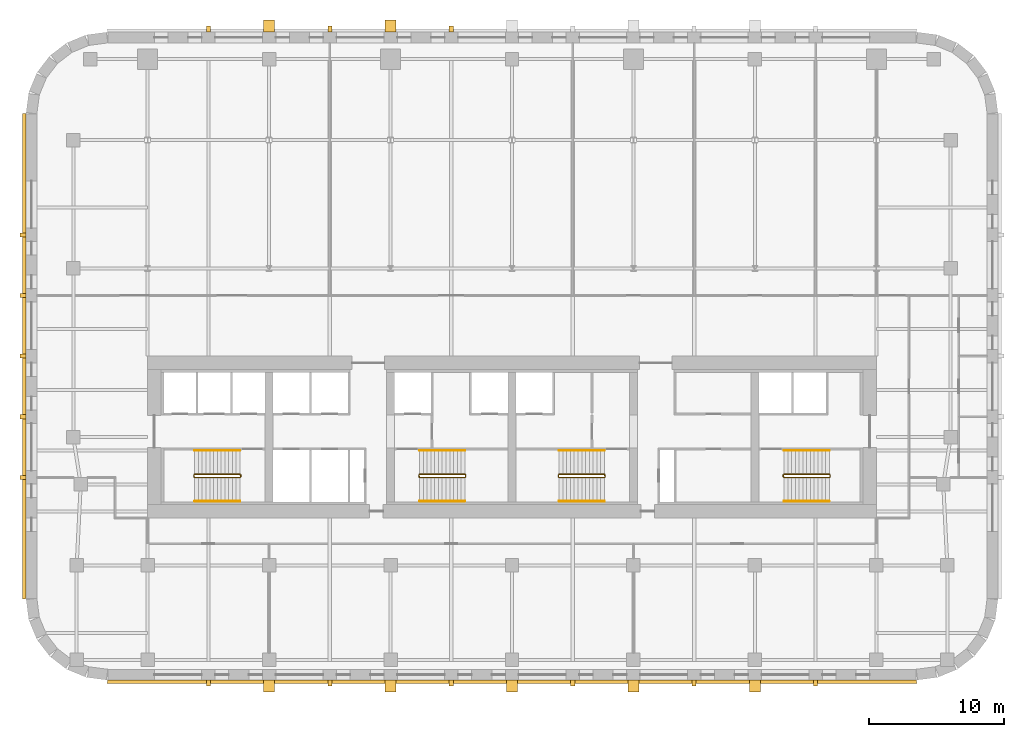
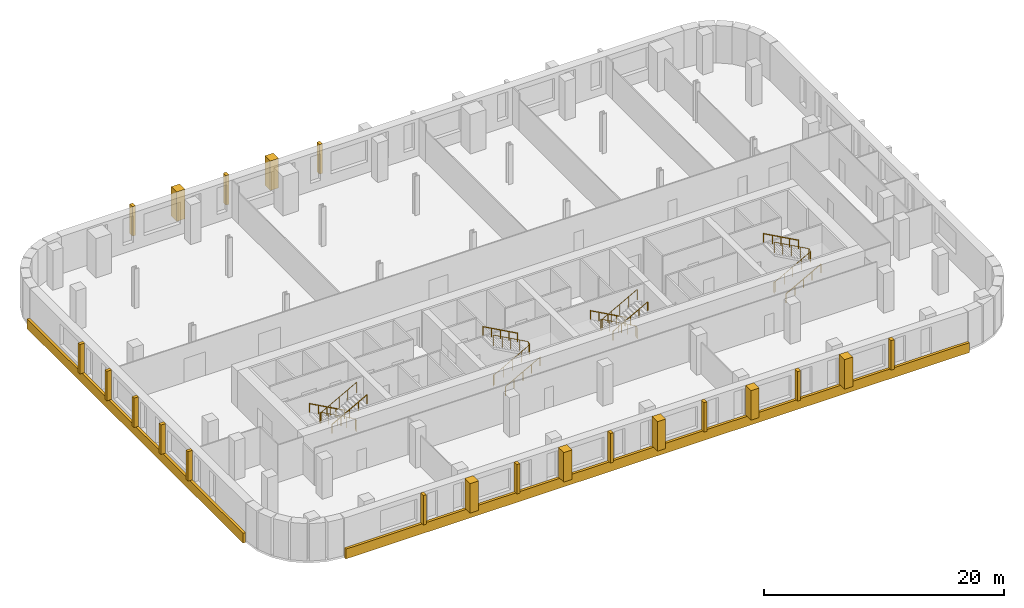
# One storey, part 8 of 9: 23 coverings, 12 railings.
"""IFC4 building model written with IfcOpenShell, lengths in metres."""

from ifc_helpers import new_model, si_unit, direction, frame, origin, origin_2d, place, context, subcontext, project, spatial, polyline, circle, outline, extrude, material, layer, layer_set, type_object, element, save


model = new_model("IFC4")

# Units and contexts
model_context = context("Model", 3, precision=1e-05, world=origin(), true_north=direction((0.0, 1.0)))
body_context = subcontext(model_context, "Body", "Model", "MODEL_VIEW")
ifc_project = project(units=[si_unit("LENGTHUNIT", "METRE"), si_unit("AREAUNIT", "SQUARE_METRE"), si_unit("VOLUMEUNIT", "CUBIC_METRE"), si_unit("PLANEANGLEUNIT", "RADIAN"), si_unit("MASSUNIT", "GRAM", prefix="KILO")], contexts=[model_context])

# Site, building, storey
site_placement = place(None, origin())
site = spatial("IfcSite", under=ifc_project, at=site_placement, CompositionType="ELEMENT")
building_placement = place(site_placement, origin())
building = spatial("IfcBuilding", under=site, at=building_placement, Name="Zellij Exchange Tower", CompositionType="ELEMENT")
storey_placement = place(building_placement, frame((0.0, 0.0, 148.5)))
storey = spatial("IfcBuildingStorey", under=building, at=storey_placement, Name="L33", CompositionType="ELEMENT", Elevation=148.5)

# Railings
ifc_material_1 = material(Name="Stainless steel", Category="steel")
railing_type_1 = type_object("IfcRailingType", Name="CORE-RG stair guard", PredefinedType="GUARDRAIL", material=ifc_material_1)
railing_1_placement = place(storey_placement, frame((-20.10009765625, -10.800048828125, 0.0)))
element("IfcRailing", 1, at=railing_1_placement, inside=storey, type_object=railing_type_1, Name="ST1 stair guard L33", PredefinedType="GUARDRAIL", context=body_context, shape_type="SweptSolid", body=[
    extrude(circle(Radius=0.02392578125, at=origin_2d()), frame((0.0, 0.0, 1.076171875), z_axis=(0.0, -1.0, 0.0), x_axis=(1.0, 0.0, 0.0)), (0.0, 0.0, 1.0), 0.14990234375),
    extrude(circle(Radius=0.02392578125, at=origin_2d()), frame((0.0, -0.14990234375, 1.076171875), z_axis=(-0.193691321961, 0.777613689637, 0.598164376644), x_axis=(-0.970351222016, -0.241699205484, 0.0)), (0.0, 0.0, 1.0), 0.257080078125),
    extrude(circle(Radius=0.02392578125, at=origin_2d()), frame((-0.0498046875, 0.050048828125, 1.22998046875), z_axis=(-0.876421534553, 0.0, 0.481544695509), x_axis=(0.0, -1.0, 0.0)), (0.0, 0.0, 1.0), 3.833984375),
    extrude(circle(Radius=0.02392578125, at=origin_2d()), frame((-3.409912109375, 0.050048828125, 3.076171875), z_axis=(-0.707106781187, -0.707106781187, 0.0), x_axis=(0.707106781187, -0.707106781187, 0.0)), (0.0, 0.0, 1.0), 0.07080078125),
    extrude(circle(Radius=0.02392578125, at=origin_2d()), frame((-3.4599609375, 0.0, 3.076171875), z_axis=(0.0, -1.0, 0.0), x_axis=(1.0, 0.0, 0.0)), (0.0, 0.0, 1.0), 0.14990234375),
    extrude(circle(Radius=0.02392578125, at=origin_2d()), frame((-3.4599609375, -0.14990234375, 3.076171875), z_axis=(0.295599637079, -0.295599637079, 0.908428152975), x_axis=(0.707106781187, 0.707106781187, 0.0)), (0.0, 0.0, 1.0), 0.16943359375),
    extrude(circle(Radius=0.02392578125, at=origin_2d()), frame((-3.409912109375, -0.199951171875, 3.22998046875), z_axis=(0.876421534553, 0.0, 0.481544695509), x_axis=(0.0, 1.0, 0.0)), (0.0, 0.0, 1.0), 3.833984375),
    extrude(circle(Radius=0.02099609375, at=origin_2d()), origin(), (0.0, 0.0, 1.0), 1.052001953125),
    extrude(circle(Radius=0.02099609375, at=origin_2d()), frame((0.0, -0.14990234375, 0.0)), (0.0, 0.0, 1.0), 1.052001953125),
    extrude(circle(Radius=0.02099609375, at=origin_2d()), frame((-0.0498046875, 0.050048828125, 0.15380859375)), (0.0, 0.0, 1.0), 1.052001953125),
    extrude(circle(Radius=0.02099609375, at=origin_2d()), frame((-0.889892578125, 0.050048828125, 0.615234375)), (0.0, 0.0, 1.0), 1.052001953125),
    extrude(circle(Radius=0.02099609375, at=origin_2d()), frame((-1.72998046875, 0.050048828125, 1.076904296875)), (0.0, 0.0, 1.0), 1.052001953125),
    extrude(circle(Radius=0.02099609375, at=origin_2d()), frame((-2.56982421875, 0.050048828125, 1.53857421875)), (0.0, 0.0, 1.0), 1.052001953125),
    extrude(circle(Radius=0.02099609375, at=origin_2d()), frame((-3.409912109375, 0.050048828125, 2.0)), (0.0, 0.0, 1.0), 1.052001953125),
    extrude(circle(Radius=0.02099609375, at=origin_2d()), frame((-3.4599609375, 0.0, 2.0)), (0.0, 0.0, 1.0), 1.052001953125),
    extrude(circle(Radius=0.02099609375, at=origin_2d()), frame((-3.4599609375, -0.14990234375, 2.0)), (0.0, 0.0, 1.0), 1.052001953125),
    extrude(circle(Radius=0.02099609375, at=origin_2d()), frame((-3.409912109375, -0.199951171875, 2.15380859375)), (0.0, 0.0, 1.0), 1.052001953125),
    extrude(circle(Radius=0.02099609375, at=origin_2d()), frame((-2.56982421875, -0.199951171875, 2.615234375)), (0.0, 0.0, 1.0), 1.052001953125),
    extrude(circle(Radius=0.02099609375, at=origin_2d()), frame((-1.72998046875, -0.199951171875, 3.076904296875)), (0.0, 0.0, 1.0), 1.052001953125),
    extrude(circle(Radius=0.02099609375, at=origin_2d()), frame((-0.889892578125, -0.199951171875, 3.53857421875)), (0.0, 0.0, 1.0), 1.052001953125),
    extrude(circle(Radius=0.02099609375, at=origin_2d()), frame((-0.0498046875, -0.199951171875, 4.0)), (0.0, 0.0, 1.0), 1.052001953125),
])
railing_2_placement = place(storey_placement, frame((-6.89990234375, -10.949951171875, 0.0)))
element("IfcRailing", 2, at=railing_2_placement, inside=storey, type_object=railing_type_1, Name="ST2 stair guard L33", PredefinedType="GUARDRAIL", context=body_context, shape_type="SweptSolid", body=[
    extrude(circle(Radius=0.02392578125, at=origin_2d()), frame((0.0, 0.0, 1.076171875), z_axis=(0.0, 1.0, 0.0), x_axis=(-1.0, 0.0, 0.0)), (0.0, 0.0, 1.0), 0.14990234375),
    extrude(circle(Radius=0.02392578125, at=origin_2d()), frame((0.0, 0.14990234375, 1.076171875), z_axis=(0.193691321961, -0.777613689637, 0.598164376644), x_axis=(0.970351222016, 0.241699205484, 0.0)), (0.0, 0.0, 1.0), 0.257080078125),
    extrude(circle(Radius=0.02392578125, at=origin_2d()), frame((0.0498046875, -0.050048828125, 1.22998046875), z_axis=(0.876421534553, 0.0, 0.481544695509), x_axis=(0.0, 1.0, 0.0)), (0.0, 0.0, 1.0), 3.833984375),
    extrude(circle(Radius=0.02392578125, at=origin_2d()), frame((3.409912109375, -0.050048828125, 3.076171875), z_axis=(0.707106781187, 0.707106781187, 0.0), x_axis=(-0.707106781187, 0.707106781187, 0.0)), (0.0, 0.0, 1.0), 0.07080078125),
    extrude(circle(Radius=0.02392578125, at=origin_2d()), frame((3.4599609375, 0.0, 3.076171875), z_axis=(0.0, 1.0, 0.0), x_axis=(-1.0, 0.0, 0.0)), (0.0, 0.0, 1.0), 0.14990234375),
    extrude(circle(Radius=0.02392578125, at=origin_2d()), frame((3.4599609375, 0.14990234375, 3.076171875), z_axis=(-0.295599637079, 0.295599637079, 0.908428152975), x_axis=(-0.707106781187, -0.707106781187, 0.0)), (0.0, 0.0, 1.0), 0.16943359375),
    extrude(circle(Radius=0.02392578125, at=origin_2d()), frame((3.409912109375, 0.199951171875, 3.22998046875), z_axis=(-0.876421534553, 0.0, 0.481544695509), x_axis=(0.0, -1.0, 0.0)), (0.0, 0.0, 1.0), 3.833984375),
    extrude(circle(Radius=0.02099609375, at=origin_2d()), origin(), (0.0, 0.0, 1.0), 1.052001953125),
    extrude(circle(Radius=0.02099609375, at=origin_2d()), frame((0.0, 0.14990234375, 0.0)), (0.0, 0.0, 1.0), 1.052001953125),
    extrude(circle(Radius=0.02099609375, at=origin_2d()), frame((0.0498046875, -0.050048828125, 0.15380859375)), (0.0, 0.0, 1.0), 1.052001953125),
    extrude(circle(Radius=0.02099609375, at=origin_2d()), frame((0.889892578125, -0.050048828125, 0.615234375)), (0.0, 0.0, 1.0), 1.052001953125),
    extrude(circle(Radius=0.02099609375, at=origin_2d()), frame((1.72998046875, -0.050048828125, 1.076904296875)), (0.0, 0.0, 1.0), 1.052001953125),
    extrude(circle(Radius=0.02099609375, at=origin_2d()), frame((2.56982421875, -0.050048828125, 1.53857421875)), (0.0, 0.0, 1.0), 1.052001953125),
    extrude(circle(Radius=0.02099609375, at=origin_2d()), frame((3.409912109375, -0.050048828125, 2.0)), (0.0, 0.0, 1.0), 1.052001953125),
    extrude(circle(Radius=0.02099609375, at=origin_2d()), frame((3.4599609375, 0.0, 2.0)), (0.0, 0.0, 1.0), 1.052001953125),
    extrude(circle(Radius=0.02099609375, at=origin_2d()), frame((3.4599609375, 0.14990234375, 2.0)), (0.0, 0.0, 1.0), 1.052001953125),
    extrude(circle(Radius=0.02099609375, at=origin_2d()), frame((3.409912109375, 0.199951171875, 2.15380859375)), (0.0, 0.0, 1.0), 1.052001953125),
    extrude(circle(Radius=0.02099609375, at=origin_2d()), frame((2.56982421875, 0.199951171875, 2.615234375)), (0.0, 0.0, 1.0), 1.052001953125),
    extrude(circle(Radius=0.02099609375, at=origin_2d()), frame((1.72998046875, 0.199951171875, 3.076904296875)), (0.0, 0.0, 1.0), 1.052001953125),
    extrude(circle(Radius=0.02099609375, at=origin_2d()), frame((0.889892578125, 0.199951171875, 3.53857421875)), (0.0, 0.0, 1.0), 1.052001953125),
    extrude(circle(Radius=0.02099609375, at=origin_2d()), frame((0.0498046875, 0.199951171875, 4.0)), (0.0, 0.0, 1.0), 1.052001953125),
])
railing_3_placement = place(storey_placement, frame((6.89990234375, -10.800048828125, 0.0)))
element("IfcRailing", 3, at=railing_3_placement, inside=storey, type_object=railing_type_1, Name="ST3 stair guard L33", PredefinedType="GUARDRAIL", context=body_context, shape_type="SweptSolid", body=[
    extrude(circle(Radius=0.02392578125, at=origin_2d()), frame((0.0, 0.0, 1.076171875), z_axis=(0.0, -1.0, 0.0), x_axis=(1.0, 0.0, 0.0)), (0.0, 0.0, 1.0), 0.14990234375),
    extrude(circle(Radius=0.02392578125, at=origin_2d()), frame((0.0, -0.14990234375, 1.076171875), z_axis=(-0.193691321961, 0.777613689637, 0.598164376644), x_axis=(-0.970351222016, -0.241699205484, 0.0)), (0.0, 0.0, 1.0), 0.257080078125),
    extrude(circle(Radius=0.02392578125, at=origin_2d()), frame((-0.0498046875, 0.050048828125, 1.22998046875), z_axis=(-0.876421534553, 0.0, 0.481544695509), x_axis=(0.0, -1.0, 0.0)), (0.0, 0.0, 1.0), 3.833984375),
    extrude(circle(Radius=0.02392578125, at=origin_2d()), frame((-3.409912109375, 0.050048828125, 3.076171875), z_axis=(-0.707106781187, -0.707106781187, 0.0), x_axis=(0.707106781187, -0.707106781187, 0.0)), (0.0, 0.0, 1.0), 0.07080078125),
    extrude(circle(Radius=0.02392578125, at=origin_2d()), frame((-3.4599609375, 0.0, 3.076171875), z_axis=(0.0, -1.0, 0.0), x_axis=(1.0, 0.0, 0.0)), (0.0, 0.0, 1.0), 0.14990234375),
    extrude(circle(Radius=0.02392578125, at=origin_2d()), frame((-3.4599609375, -0.14990234375, 3.076171875), z_axis=(0.295599637079, -0.295599637079, 0.908428152975), x_axis=(0.707106781187, 0.707106781187, 0.0)), (0.0, 0.0, 1.0), 0.16943359375),
    extrude(circle(Radius=0.02392578125, at=origin_2d()), frame((-3.409912109375, -0.199951171875, 3.22998046875), z_axis=(0.876421534553, 0.0, 0.481544695509), x_axis=(0.0, 1.0, 0.0)), (0.0, 0.0, 1.0), 3.833984375),
    extrude(circle(Radius=0.02099609375, at=origin_2d()), origin(), (0.0, 0.0, 1.0), 1.052001953125),
    extrude(circle(Radius=0.02099609375, at=origin_2d()), frame((0.0, -0.14990234375, 0.0)), (0.0, 0.0, 1.0), 1.052001953125),
    extrude(circle(Radius=0.02099609375, at=origin_2d()), frame((-0.0498046875, 0.050048828125, 0.15380859375)), (0.0, 0.0, 1.0), 1.052001953125),
    extrude(circle(Radius=0.02099609375, at=origin_2d()), frame((-0.889892578125, 0.050048828125, 0.615234375)), (0.0, 0.0, 1.0), 1.052001953125),
    extrude(circle(Radius=0.02099609375, at=origin_2d()), frame((-1.72998046875, 0.050048828125, 1.076904296875)), (0.0, 0.0, 1.0), 1.052001953125),
    extrude(circle(Radius=0.02099609375, at=origin_2d()), frame((-2.56982421875, 0.050048828125, 1.53857421875)), (0.0, 0.0, 1.0), 1.052001953125),
    extrude(circle(Radius=0.02099609375, at=origin_2d()), frame((-3.409912109375, 0.050048828125, 2.0)), (0.0, 0.0, 1.0), 1.052001953125),
    extrude(circle(Radius=0.02099609375, at=origin_2d()), frame((-3.4599609375, 0.0, 2.0)), (0.0, 0.0, 1.0), 1.052001953125),
    extrude(circle(Radius=0.02099609375, at=origin_2d()), frame((-3.4599609375, -0.14990234375, 2.0)), (0.0, 0.0, 1.0), 1.052001953125),
    extrude(circle(Radius=0.02099609375, at=origin_2d()), frame((-3.409912109375, -0.199951171875, 2.15380859375)), (0.0, 0.0, 1.0), 1.052001953125),
    extrude(circle(Radius=0.02099609375, at=origin_2d()), frame((-2.56982421875, -0.199951171875, 2.615234375)), (0.0, 0.0, 1.0), 1.052001953125),
    extrude(circle(Radius=0.02099609375, at=origin_2d()), frame((-1.72998046875, -0.199951171875, 3.076904296875)), (0.0, 0.0, 1.0), 1.052001953125),
    extrude(circle(Radius=0.02099609375, at=origin_2d()), frame((-0.889892578125, -0.199951171875, 3.53857421875)), (0.0, 0.0, 1.0), 1.052001953125),
    extrude(circle(Radius=0.02099609375, at=origin_2d()), frame((-0.0498046875, -0.199951171875, 4.0)), (0.0, 0.0, 1.0), 1.052001953125),
])
railing_4_placement = place(storey_placement, frame((20.10009765625, -10.949951171875, 0.0)))
element("IfcRailing", 4, at=railing_4_placement, inside=storey, type_object=railing_type_1, Name="ST4 stair guard L33", PredefinedType="GUARDRAIL", context=body_context, shape_type="SweptSolid", body=[
    extrude(circle(Radius=0.02392578125, at=origin_2d()), frame((0.0, 0.0, 1.076171875), z_axis=(0.0, 1.0, 0.0), x_axis=(-1.0, 0.0, 0.0)), (0.0, 0.0, 1.0), 0.14990234375),
    extrude(circle(Radius=0.02392578125, at=origin_2d()), frame((0.0, 0.14990234375, 1.076171875), z_axis=(0.193691321961, -0.777613689637, 0.598164376644), x_axis=(0.970351222016, 0.241699205484, 0.0)), (0.0, 0.0, 1.0), 0.257080078125),
    extrude(circle(Radius=0.02392578125, at=origin_2d()), frame((0.0498046875, -0.050048828125, 1.22998046875), z_axis=(0.876421534553, 0.0, 0.481544695509), x_axis=(0.0, 1.0, 0.0)), (0.0, 0.0, 1.0), 3.833984375),
    extrude(circle(Radius=0.02392578125, at=origin_2d()), frame((3.409912109375, -0.050048828125, 3.076171875), z_axis=(0.707106781187, 0.707106781187, 0.0), x_axis=(-0.707106781187, 0.707106781187, 0.0)), (0.0, 0.0, 1.0), 0.07080078125),
    extrude(circle(Radius=0.02392578125, at=origin_2d()), frame((3.4599609375, 0.0, 3.076171875), z_axis=(0.0, 1.0, 0.0), x_axis=(-1.0, 0.0, 0.0)), (0.0, 0.0, 1.0), 0.14990234375),
    extrude(circle(Radius=0.02392578125, at=origin_2d()), frame((3.4599609375, 0.14990234375, 3.076171875), z_axis=(-0.295599637079, 0.295599637079, 0.908428152975), x_axis=(-0.707106781187, -0.707106781187, 0.0)), (0.0, 0.0, 1.0), 0.16943359375),
    extrude(circle(Radius=0.02392578125, at=origin_2d()), frame((3.409912109375, 0.199951171875, 3.22998046875), z_axis=(-0.876421534553, 0.0, 0.481544695509), x_axis=(0.0, -1.0, 0.0)), (0.0, 0.0, 1.0), 3.833984375),
    extrude(circle(Radius=0.02099609375, at=origin_2d()), origin(), (0.0, 0.0, 1.0), 1.052001953125),
    extrude(circle(Radius=0.02099609375, at=origin_2d()), frame((0.0, 0.14990234375, 0.0)), (0.0, 0.0, 1.0), 1.052001953125),
    extrude(circle(Radius=0.02099609375, at=origin_2d()), frame((0.0498046875, -0.050048828125, 0.15380859375)), (0.0, 0.0, 1.0), 1.052001953125),
    extrude(circle(Radius=0.02099609375, at=origin_2d()), frame((0.889892578125, -0.050048828125, 0.615234375)), (0.0, 0.0, 1.0), 1.052001953125),
    extrude(circle(Radius=0.02099609375, at=origin_2d()), frame((1.72998046875, -0.050048828125, 1.076904296875)), (0.0, 0.0, 1.0), 1.052001953125),
    extrude(circle(Radius=0.02099609375, at=origin_2d()), frame((2.56982421875, -0.050048828125, 1.53857421875)), (0.0, 0.0, 1.0), 1.052001953125),
    extrude(circle(Radius=0.02099609375, at=origin_2d()), frame((3.409912109375, -0.050048828125, 2.0)), (0.0, 0.0, 1.0), 1.052001953125),
    extrude(circle(Radius=0.02099609375, at=origin_2d()), frame((3.4599609375, 0.0, 2.0)), (0.0, 0.0, 1.0), 1.052001953125),
    extrude(circle(Radius=0.02099609375, at=origin_2d()), frame((3.4599609375, 0.14990234375, 2.0)), (0.0, 0.0, 1.0), 1.052001953125),
    extrude(circle(Radius=0.02099609375, at=origin_2d()), frame((3.409912109375, 0.199951171875, 2.15380859375)), (0.0, 0.0, 1.0), 1.052001953125),
    extrude(circle(Radius=0.02099609375, at=origin_2d()), frame((2.56982421875, 0.199951171875, 2.615234375)), (0.0, 0.0, 1.0), 1.052001953125),
    extrude(circle(Radius=0.02099609375, at=origin_2d()), frame((1.72998046875, 0.199951171875, 3.076904296875)), (0.0, 0.0, 1.0), 1.052001953125),
    extrude(circle(Radius=0.02099609375, at=origin_2d()), frame((0.889892578125, 0.199951171875, 3.53857421875)), (0.0, 0.0, 1.0), 1.052001953125),
    extrude(circle(Radius=0.02099609375, at=origin_2d()), frame((0.0498046875, 0.199951171875, 4.0)), (0.0, 0.0, 1.0), 1.052001953125),
])
railing_type_2 = type_object("IfcRailingType", Name="CORE-RH stair handrail", PredefinedType="HANDRAIL", material=ifc_material_1)
railing_5_placement = place(storey_placement, frame((-20.14990234375, -9.0, 0.15380859375)))
element("IfcRailing", 5, at=railing_5_placement, inside=storey, type_object=railing_type_2, Name="ST1 stair handrail L33", PredefinedType="HANDRAIL", context=body_context, shape_type="SweptSolid", body=[
    extrude(circle(Radius=0.02392578125, at=origin_2d()), frame((0.0, 0.0, 0.8759765625), z_axis=(-0.876421534553, 0.0, 0.481544695509), x_axis=(0.0, -1.0, 0.0)), (0.0, 0.0, 1.0), 3.833984375),
    extrude(circle(Radius=0.02099609375, at=origin_2d()), origin(), (0.0, 0.0, 1.0), 0.851806640625),
    extrude(circle(Radius=0.02099609375, at=origin_2d()), frame((-0.840087890625, 0.0, 0.46142578125)), (0.0, 0.0, 1.0), 0.851806640625),
    extrude(circle(Radius=0.02099609375, at=origin_2d()), frame((-1.68017578125, 0.0, 0.923095703125)), (0.0, 0.0, 1.0), 0.851806640625),
    extrude(circle(Radius=0.02099609375, at=origin_2d()), frame((-2.52001953125, 0.0, 1.384765625)), (0.0, 0.0, 1.0), 0.851806640625),
    extrude(circle(Radius=0.02099609375, at=origin_2d()), frame((-3.360107421875, 0.0, 1.84619140625)), (0.0, 0.0, 1.0), 0.851806640625),
])
for number, where, name in (
    (6, (-23.510009765625, -12.75, 2.15380859375), "ST1 stair handrail L33"),
    (7, (-6.85009765625, -12.75, 0.15380859375), "ST2 stair handrail L33"),
):
    element("IfcRailing", number, at=place(storey_placement, frame(where)), inside=storey, type_object=railing_type_2, Name=name, PredefinedType="HANDRAIL", context=body_context, shape_type="SweptSolid", body=[
        extrude(circle(Radius=0.02392578125, at=origin_2d()), frame((0.0, 0.0, 0.8759765625), z_axis=(0.876421534553, 0.0, 0.481544695509), x_axis=(0.0, 1.0, 0.0)), (0.0, 0.0, 1.0), 3.833984375),
        extrude(circle(Radius=0.02099609375, at=origin_2d()), origin(), (0.0, 0.0, 1.0), 0.851806640625),
        extrude(circle(Radius=0.02099609375, at=origin_2d()), frame((0.840087890625, 0.0, 0.46142578125)), (0.0, 0.0, 1.0), 0.851806640625),
        extrude(circle(Radius=0.02099609375, at=origin_2d()), frame((1.68017578125, 0.0, 0.923095703125)), (0.0, 0.0, 1.0), 0.851806640625),
        extrude(circle(Radius=0.02099609375, at=origin_2d()), frame((2.52001953125, 0.0, 1.384765625)), (0.0, 0.0, 1.0), 0.851806640625),
        extrude(circle(Radius=0.02099609375, at=origin_2d()), frame((3.360107421875, 0.0, 1.84619140625)), (0.0, 0.0, 1.0), 0.851806640625),
    ])
for number, where, name in (
    (8, (-3.489990234375, -9.0, 2.15380859375), "ST2 stair handrail L33"),
    (9, (6.85009765625, -9.0, 0.15380859375), "ST3 stair handrail L33"),
):
    element("IfcRailing", number, at=place(storey_placement, frame(where)), inside=storey, type_object=railing_type_2, Name=name, PredefinedType="HANDRAIL", context=body_context, shape_type="SweptSolid", body=[
        extrude(circle(Radius=0.02392578125, at=origin_2d()), frame((0.0, 0.0, 0.8759765625), z_axis=(-0.876421534553, 0.0, 0.481544695509), x_axis=(0.0, -1.0, 0.0)), (0.0, 0.0, 1.0), 3.833984375),
        extrude(circle(Radius=0.02099609375, at=origin_2d()), origin(), (0.0, 0.0, 1.0), 0.851806640625),
        extrude(circle(Radius=0.02099609375, at=origin_2d()), frame((-0.840087890625, 0.0, 0.46142578125)), (0.0, 0.0, 1.0), 0.851806640625),
        extrude(circle(Radius=0.02099609375, at=origin_2d()), frame((-1.68017578125, 0.0, 0.923095703125)), (0.0, 0.0, 1.0), 0.851806640625),
        extrude(circle(Radius=0.02099609375, at=origin_2d()), frame((-2.52001953125, 0.0, 1.384765625)), (0.0, 0.0, 1.0), 0.851806640625),
        extrude(circle(Radius=0.02099609375, at=origin_2d()), frame((-3.360107421875, 0.0, 1.84619140625)), (0.0, 0.0, 1.0), 0.851806640625),
    ])
for number, where, name in (
    (10, (3.489990234375, -12.75, 2.15380859375), "ST3 stair handrail L33"),
    (11, (20.14990234375, -12.75, 0.15380859375), "ST4 stair handrail L33"),
):
    element("IfcRailing", number, at=place(storey_placement, frame(where)), inside=storey, type_object=railing_type_2, Name=name, PredefinedType="HANDRAIL", context=body_context, shape_type="SweptSolid", body=[
        extrude(circle(Radius=0.02392578125, at=origin_2d()), frame((0.0, 0.0, 0.8759765625), z_axis=(0.876421534553, 0.0, 0.481544695509), x_axis=(0.0, 1.0, 0.0)), (0.0, 0.0, 1.0), 3.833984375),
        extrude(circle(Radius=0.02099609375, at=origin_2d()), origin(), (0.0, 0.0, 1.0), 0.851806640625),
        extrude(circle(Radius=0.02099609375, at=origin_2d()), frame((0.840087890625, 0.0, 0.46142578125)), (0.0, 0.0, 1.0), 0.851806640625),
        extrude(circle(Radius=0.02099609375, at=origin_2d()), frame((1.68017578125, 0.0, 0.923095703125)), (0.0, 0.0, 1.0), 0.851806640625),
        extrude(circle(Radius=0.02099609375, at=origin_2d()), frame((2.52001953125, 0.0, 1.384765625)), (0.0, 0.0, 1.0), 0.851806640625),
        extrude(circle(Radius=0.02099609375, at=origin_2d()), frame((3.360107421875, 0.0, 1.84619140625)), (0.0, 0.0, 1.0), 0.851806640625),
    ])
railing_6_placement = place(storey_placement, frame((23.510009765625, -9.0, 2.15380859375)))
element("IfcRailing", 12, at=railing_6_placement, inside=storey, type_object=railing_type_2, Name="ST4 stair handrail L33", PredefinedType="HANDRAIL", context=body_context, shape_type="SweptSolid", body=[
    extrude(circle(Radius=0.02392578125, at=origin_2d()), frame((0.0, 0.0, 0.8759765625), z_axis=(-0.876421534553, 0.0, 0.481544695509), x_axis=(0.0, -1.0, 0.0)), (0.0, 0.0, 1.0), 3.833984375),
    extrude(circle(Radius=0.02099609375, at=origin_2d()), origin(), (0.0, 0.0, 1.0), 0.851806640625),
    extrude(circle(Radius=0.02099609375, at=origin_2d()), frame((-0.840087890625, 0.0, 0.46142578125)), (0.0, 0.0, 1.0), 0.851806640625),
    extrude(circle(Radius=0.02099609375, at=origin_2d()), frame((-1.68017578125, 0.0, 0.923095703125)), (0.0, 0.0, 1.0), 0.851806640625),
    extrude(circle(Radius=0.02099609375, at=origin_2d()), frame((-2.52001953125, 0.0, 1.384765625)), (0.0, 0.0, 1.0), 0.851806640625),
    extrude(circle(Radius=0.02099609375, at=origin_2d()), frame((-3.360107421875, 0.0, 1.84619140625)), (0.0, 0.0, 1.0), 0.851806640625),
])

# Coverings
ifc_material_2 = material(Name="Limestone cladding", Category="masonry")
covering_type_1 = type_object("IfcCoveringType", Name="ENV-CV5 Stone pier 800x900", PredefinedType="CLADDING", material=ifc_material_2)
covering_1_placement = place(storey_placement, frame((0.0, 0.0, 0.800048828125)))
element("IfcCovering", 13, at=covering_1_placement, inside=storey, type_object=covering_type_1, Name="Stone pier", PredefinedType="CLADDING", context=body_context, shape_type="SweptSolid", body=[
    extrude(outline(polyline([(-18.39990234375, -26.0), (-17.60009765625, -26.0), (-17.60009765625, -26.89990234375), (-18.39990234375, -26.89990234375), (-18.39990234375, -26.0)])), origin(), (0.0, 0.0, 1.0), 3.0),
])
covering_2_placement = place(storey_placement, frame((0.0, 0.0, 0.800048828125)))
element("IfcCovering", 14, at=covering_2_placement, inside=storey, type_object=covering_type_1, Name="Stone pier", PredefinedType="CLADDING", context=body_context, shape_type="SweptSolid", body=[
    extrude(outline(polyline([(-9.39990234375, -26.0), (-8.60009765625, -26.0), (-8.60009765625, -26.89990234375), (-9.39990234375, -26.89990234375), (-9.39990234375, -26.0)])), origin(), (0.0, 0.0, 1.0), 3.0),
])
covering_3_placement = place(storey_placement, frame((0.0, 0.0, 0.800048828125)))
element("IfcCovering", 15, at=covering_3_placement, inside=storey, type_object=covering_type_1, Name="Stone pier", PredefinedType="CLADDING", context=body_context, shape_type="SweptSolid", body=[
    extrude(outline(polyline([(-0.39990234375, -26.0), (0.39990234375, -26.0), (0.39990234375, -26.89990234375), (-0.39990234375, -26.89990234375), (-0.39990234375, -26.0)])), origin(), (0.0, 0.0, 1.0), 3.0),
])
covering_4_placement = place(storey_placement, frame((0.0, 0.0, 0.800048828125)))
element("IfcCovering", 16, at=covering_4_placement, inside=storey, type_object=covering_type_1, Name="Stone pier", PredefinedType="CLADDING", context=body_context, shape_type="SweptSolid", body=[
    extrude(outline(polyline([(8.60009765625, -26.0), (9.39990234375, -26.0), (9.39990234375, -26.89990234375), (8.60009765625, -26.89990234375), (8.60009765625, -26.0)])), origin(), (0.0, 0.0, 1.0), 3.0),
])
covering_5_placement = place(storey_placement, frame((0.0, 0.0, 0.800048828125)))
element("IfcCovering", 17, at=covering_5_placement, inside=storey, type_object=covering_type_1, Name="Stone pier", PredefinedType="CLADDING", context=body_context, shape_type="SweptSolid", body=[
    extrude(outline(polyline([(17.60009765625, -26.0), (18.39990234375, -26.0), (18.39990234375, -26.89990234375), (17.60009765625, -26.89990234375), (17.60009765625, -26.0)])), origin(), (0.0, 0.0, 1.0), 3.0),
])
covering_6_placement = place(storey_placement, frame((0.0, 0.0, 0.800048828125)))
element("IfcCovering", 18, at=covering_6_placement, inside=storey, type_object=covering_type_1, Name="Stone pier", PredefinedType="CLADDING", context=body_context, shape_type="SweptSolid", body=[
    extrude(outline(polyline([(-8.60009765625, 22.0), (-9.39990234375, 22.0), (-9.39990234375, 22.89990234375), (-8.60009765625, 22.89990234375), (-8.60009765625, 22.0)])), origin(), (0.0, 0.0, 1.0), 3.0),
])
covering_7_placement = place(storey_placement, frame((0.0, 0.0, 0.800048828125)))
element("IfcCovering", 19, at=covering_7_placement, inside=storey, type_object=covering_type_1, Name="Stone pier", PredefinedType="CLADDING", context=body_context, shape_type="SweptSolid", body=[
    extrude(outline(polyline([(-17.60009765625, 22.0), (-18.39990234375, 22.0), (-18.39990234375, 22.89990234375), (-17.60009765625, 22.89990234375), (-17.60009765625, 22.0)])), origin(), (0.0, 0.0, 1.0), 3.0),
])
covering_type_2 = type_object("IfcCoveringType", Name="ENV-CV7 Stone pier 300x450", PredefinedType="CLADDING", material=ifc_material_2)
covering_8_placement = place(storey_placement, frame((0.0, 0.0, 0.800048828125)))
element("IfcCovering", 20, at=covering_8_placement, inside=storey, type_object=covering_type_2, Name="Stone pier", PredefinedType="CLADDING", context=body_context, shape_type="SweptSolid", body=[
    extrude(outline(polyline([(-22.64990234375, -26.0), (-22.35009765625, -26.0), (-22.35009765625, -26.449951171875), (-22.64990234375, -26.449951171875), (-22.64990234375, -26.0)])), origin(), (0.0, 0.0, 1.0), 3.0),
])
covering_9_placement = place(storey_placement, frame((0.0, 0.0, 0.800048828125)))
element("IfcCovering", 21, at=covering_9_placement, inside=storey, type_object=covering_type_2, Name="Stone pier", PredefinedType="CLADDING", context=body_context, shape_type="SweptSolid", body=[
    extrude(outline(polyline([(-13.64990234375, -26.0), (-13.35009765625, -26.0), (-13.35009765625, -26.449951171875), (-13.64990234375, -26.449951171875), (-13.64990234375, -26.0)])), origin(), (0.0, 0.0, 1.0), 3.0),
])
covering_10_placement = place(storey_placement, frame((0.0, 0.0, 0.800048828125)))
element("IfcCovering", 22, at=covering_10_placement, inside=storey, type_object=covering_type_2, Name="Stone pier", PredefinedType="CLADDING", context=body_context, shape_type="SweptSolid", body=[
    extrude(outline(polyline([(-4.64990234375, -26.0), (-4.35009765625, -26.0), (-4.35009765625, -26.449951171875), (-4.64990234375, -26.449951171875), (-4.64990234375, -26.0)])), origin(), (0.0, 0.0, 1.0), 3.0),
])
covering_11_placement = place(storey_placement, frame((0.0, 0.0, 0.800048828125)))
element("IfcCovering", 23, at=covering_11_placement, inside=storey, type_object=covering_type_2, Name="Stone pier", PredefinedType="CLADDING", context=body_context, shape_type="SweptSolid", body=[
    extrude(outline(polyline([(4.35009765625, -26.0), (4.64990234375, -26.0), (4.64990234375, -26.449951171875), (4.35009765625, -26.449951171875), (4.35009765625, -26.0)])), origin(), (0.0, 0.0, 1.0), 3.0),
])
covering_12_placement = place(storey_placement, frame((0.0, 0.0, 0.800048828125)))
element("IfcCovering", 24, at=covering_12_placement, inside=storey, type_object=covering_type_2, Name="Stone pier", PredefinedType="CLADDING", context=body_context, shape_type="SweptSolid", body=[
    extrude(outline(polyline([(13.35009765625, -26.0), (13.64990234375, -26.0), (13.64990234375, -26.449951171875), (13.35009765625, -26.449951171875), (13.35009765625, -26.0)])), origin(), (0.0, 0.0, 1.0), 3.0),
])
covering_13_placement = place(storey_placement, frame((0.0, 0.0, 0.800048828125)))
element("IfcCovering", 25, at=covering_13_placement, inside=storey, type_object=covering_type_2, Name="Stone pier", PredefinedType="CLADDING", context=body_context, shape_type="SweptSolid", body=[
    extrude(outline(polyline([(22.35009765625, -26.0), (22.64990234375, -26.0), (22.64990234375, -26.449951171875), (22.35009765625, -26.449951171875), (22.35009765625, -26.0)])), origin(), (0.0, 0.0, 1.0), 3.0),
])
covering_14_placement = place(storey_placement, frame((0.0, 0.0, 0.800048828125)))
element("IfcCovering", 26, at=covering_14_placement, inside=storey, type_object=covering_type_2, Name="Stone pier", PredefinedType="CLADDING", context=body_context, shape_type="SweptSolid", body=[
    extrude(outline(polyline([(-4.35009765625, 22.0), (-4.64990234375, 22.0), (-4.64990234375, 22.449951171875), (-4.35009765625, 22.449951171875), (-4.35009765625, 22.0)])), origin(), (0.0, 0.0, 1.0), 3.0),
])
covering_15_placement = place(storey_placement, frame((0.0, 0.0, 0.800048828125)))
element("IfcCovering", 27, at=covering_15_placement, inside=storey, type_object=covering_type_2, Name="Stone pier", PredefinedType="CLADDING", context=body_context, shape_type="SweptSolid", body=[
    extrude(outline(polyline([(-13.35009765625, 22.0), (-13.64990234375, 22.0), (-13.64990234375, 22.449951171875), (-13.35009765625, 22.449951171875), (-13.35009765625, 22.0)])), origin(), (0.0, 0.0, 1.0), 3.0),
])
covering_16_placement = place(storey_placement, frame((0.0, 0.0, 0.800048828125)))
element("IfcCovering", 28, at=covering_16_placement, inside=storey, type_object=covering_type_2, Name="Stone pier", PredefinedType="CLADDING", context=body_context, shape_type="SweptSolid", body=[
    extrude(outline(polyline([(-22.35009765625, 22.0), (-22.64990234375, 22.0), (-22.64990234375, 22.449951171875), (-22.35009765625, 22.449951171875), (-22.35009765625, 22.0)])), origin(), (0.0, 0.0, 1.0), 3.0),
])
covering_17_placement = place(storey_placement, frame((0.0, 0.0, 0.800048828125)))
element("IfcCovering", 29, at=covering_17_placement, inside=storey, type_object=covering_type_2, Name="Stone pier", PredefinedType="CLADDING", context=body_context, shape_type="SweptSolid", body=[
    extrude(outline(polyline([(-36.0, 7.136962890625), (-36.0, 6.8369140625), (-36.449951171875, 6.8369140625), (-36.449951171875, 7.136962890625), (-36.0, 7.136962890625)])), origin(), (0.0, 0.0, 1.0), 3.0),
])
covering_18_placement = place(storey_placement, frame((0.0, 0.0, 0.800048828125)))
element("IfcCovering", 30, at=covering_18_placement, inside=storey, type_object=covering_type_2, Name="Stone pier", PredefinedType="CLADDING", context=body_context, shape_type="SweptSolid", body=[
    extrude(outline(polyline([(-36.0, 2.6435546875), (-36.0, 2.343505859375), (-36.449951171875, 2.343505859375), (-36.449951171875, 2.6435546875), (-36.0, 2.6435546875)])), origin(), (0.0, 0.0, 1.0), 3.0),
])
covering_19_placement = place(storey_placement, frame((0.0, 0.0, 0.800048828125)))
element("IfcCovering", 31, at=covering_19_placement, inside=storey, type_object=covering_type_2, Name="Stone pier", PredefinedType="CLADDING", context=body_context, shape_type="SweptSolid", body=[
    extrude(outline(polyline([(-36.0, -1.85009765625), (-36.0, -2.14990234375), (-36.449951171875, -2.14990234375), (-36.449951171875, -1.85009765625), (-36.0, -1.85009765625)])), origin(), (0.0, 0.0, 1.0), 3.0),
])
covering_20_placement = place(storey_placement, frame((0.0, 0.0, 0.800048828125)))
element("IfcCovering", 32, at=covering_20_placement, inside=storey, type_object=covering_type_2, Name="Stone pier", PredefinedType="CLADDING", context=body_context, shape_type="SweptSolid", body=[
    extrude(outline(polyline([(-36.0, -6.343505859375), (-36.0, -6.643310546875), (-36.449951171875, -6.643310546875), (-36.449951171875, -6.343505859375), (-36.0, -6.343505859375)])), origin(), (0.0, 0.0, 1.0), 3.0),
])
covering_21_placement = place(storey_placement, frame((0.0, 0.0, 0.800048828125)))
element("IfcCovering", 33, at=covering_21_placement, inside=storey, type_object=covering_type_2, Name="Stone pier", PredefinedType="CLADDING", context=body_context, shape_type="SweptSolid", body=[
    extrude(outline(polyline([(-36.0, -10.8369140625), (-36.0, -11.136962890625), (-36.449951171875, -11.136962890625), (-36.449951171875, -10.8369140625), (-36.0, -10.8369140625)])), origin(), (0.0, 0.0, 1.0), 3.0),
])
ifc_layer = layer(ifc_material_2, 0.25)
ifc_layer_set = layer_set([ifc_layer], Name="Limestone cladding")
covering_type_3 = type_object("IfcCoveringType", Name="ENV-CV8 Stone spandrel band 250", PredefinedType="CLADDING", material=ifc_layer_set)
covering_22_placement = place(storey_placement, frame((0.0, 0.0, -0.199951171875)))
element("IfcCovering", 34, at=covering_22_placement, inside=storey, type_object=covering_type_3, Name="Stone spandrel band", PredefinedType="CLADDING", context=body_context, shape_type="SweptSolid", body=[
    extrude(outline(polyline([(-29.973876953125, -26.0), (29.973876953125, -26.0), (29.990234375, -26.25), (-29.990234375, -26.25), (-29.973876953125, -26.0)])), origin(), (0.0, 0.0, 1.0), 1.0),
])
covering_23_placement = place(storey_placement, frame((0.0, 0.0, -0.199951171875)))
element("IfcCovering", 35, at=covering_23_placement, inside=storey, type_object=covering_type_3, Name="Stone spandrel band", PredefinedType="CLADDING", context=body_context, shape_type="SweptSolid", body=[
    extrude(outline(polyline([(-36.0, 15.973876953125), (-36.0, -19.973876953125), (-36.25, -19.990234375), (-36.25, 15.990234375), (-36.0, 15.973876953125)])), origin(), (0.0, 0.0, 1.0), 1.0),
])

save(model, "model.ifc")
